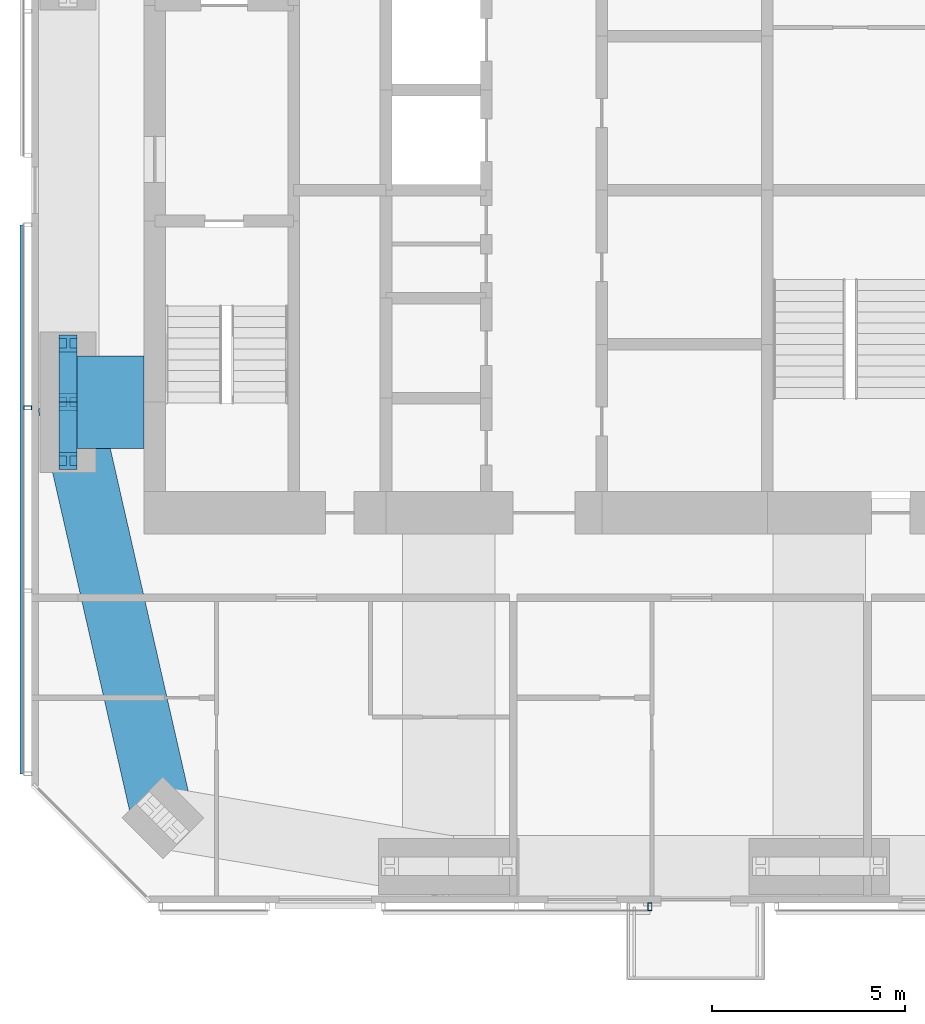
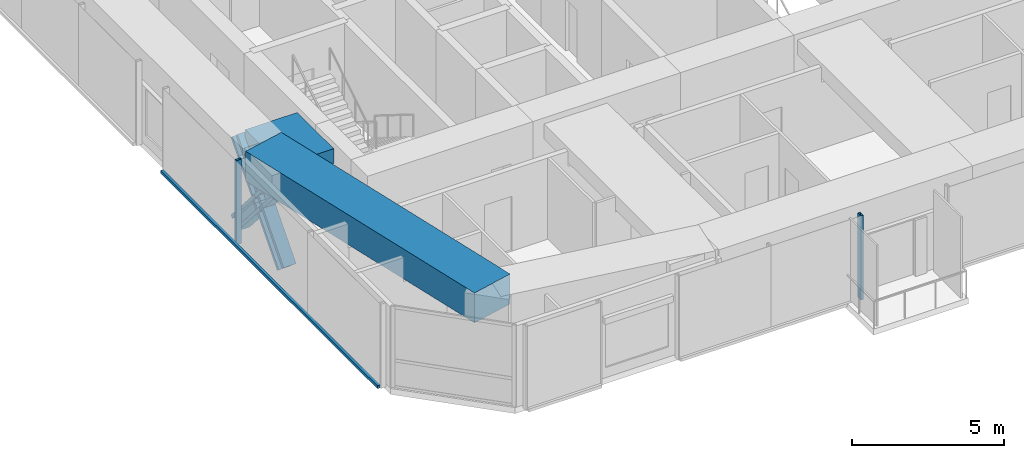
# One storey, part 3 of 18: 7 members, 2 beams, 2 elements without a shape of their own.
"""IFC4 building model written with IfcOpenShell, lengths in metres."""

from ifc_helpers import new_model, si_unit, direction, frame, origin, origin_2d, place, context, subcontext, project, spatial, rectangle, hollow_rectangle, i_section, extrude, material, material_profile, profile_set, type_object, element, aggregate, save


model = new_model("IFC4")

# Units and contexts
model_context = context("Model", 3, precision=1e-05, world=origin(), true_north=direction((0.0, 1.0)))
body_context = subcontext(model_context, "Body", "Model", "MODEL_VIEW")
ifc_project = project(units=[si_unit("LENGTHUNIT", "METRE"), si_unit("AREAUNIT", "SQUARE_METRE"), si_unit("VOLUMEUNIT", "CUBIC_METRE"), si_unit("PLANEANGLEUNIT", "RADIAN"), si_unit("MASSUNIT", "GRAM", prefix="KILO")], contexts=[model_context])

# Site, building, storey
site_placement = place(None, origin())
site = spatial("IfcSite", under=ifc_project, at=site_placement, CompositionType="ELEMENT")
building_placement = place(site_placement, origin())
building = spatial("IfcBuilding", under=site, at=building_placement, Name="Jalousie Tower", CompositionType="ELEMENT")
storey_placement = place(building_placement, frame((0.0, 0.0, 231.949951171875)))
storey = spatial("IfcBuildingStorey", under=building, at=storey_placement, Name="L63", CompositionType="ELEMENT", Elevation=231.949951171875)

# Members
ifc_material_1 = material(Name="Steel ASTM A992 Grade 50", Category="steel")
ifc_material_profile_1 = material_profile(ifc_material_1, i_section(OverallWidth=0.472412109375, OverallDepth=0.5791015625, WebThickness=0.094970703125, FlangeThickness=0.1298828125, at=origin_2d()), Name="W14X808")
ifc_profile_set_1 = profile_set([ifc_material_profile_1], Name="Steel ASTM A992 Grade 50")
member_type_1 = type_object("IfcMemberType", Name="PERIMETER BRACE W14X808", PredefinedType="BRACE", material=ifc_profile_set_1)
for number, where, z_axis, x_axis, name in (
    (1, (17.75, 11.47509765625, -0.599853515625), (0.0, 0.65695436777, 0.753930340726), (-1.0, 0.0, 0.0), "Perimeter brace 14 L63 part 1"),
    (2, (17.75, 13.0, 1.150146484375), (0.0, 0.65695436777, 0.753930340726), (-1.0, 0.0, 0.0), "Perimeter brace 14 L63 part 2"),
    (3, (17.75, 14.52490234375, -0.599853515625), (0.0, -0.65695436777, 0.753930340726), (1.0, 0.0, 0.0), "Perimeter brace 14 L63 part 3"),
    (4, (17.75, 13.0, 1.150146484375), (0.0, -0.65695436777, 0.753930340726), (1.0, 0.0, 0.0), "Perimeter brace 14 L63 part 4"),
):
    element("IfcMember", number, at=place(storey_placement, frame(where, z_axis=z_axis, x_axis=x_axis)), inside=storey, type_object=member_type_1, Name=name, PredefinedType="BRACE", context=body_context, shape_type="SweptSolid", body=[
        extrude(i_section(OverallWidth=0.472412109375, OverallDepth=0.5791015625, WebThickness=0.094970703125, FlangeThickness=0.1298828125, at=origin_2d()), origin(), (0.0, 0.0, 1.0), 2.3212890625),
    ])

# Beams
ifc_material_2 = material(Name="Concrete f'c 40 MPa", Category="concrete")
ifc_material_profile_2 = material_profile(ifc_material_2, rectangle(XDim=1.60009765625, YDim=1.199951171875, at=origin_2d()), Name="RC 1600x1200")
ifc_profile_set_2 = profile_set([ifc_material_profile_2], Name="Concrete f'c 40 MPa")
beam_type_1 = type_object("IfcBeamType", Name="RC BEAM 1600x1200", PredefinedType="BEAM", material=ifc_profile_set_2)
beam_1_placement = place(storey_placement, frame((17.75, 13.0, 2.900146484375), z_axis=(0.221971905818, -0.975053061647, 0.0), x_axis=(0.975053061647, 0.221971905818, 0.0)))
element("IfcBeam", 5, at=beam_1_placement, inside=storey, type_object=beam_type_1, Name="Edge band beam 14-01 under L64", PredefinedType="BEAM", context=body_context, shape_type="SweptSolid", body=[
    extrude(rectangle(XDim=1.60009765625, YDim=1.199951171875, at=origin_2d()), origin(), (0.0, 0.0, 1.0), 11.069091796875),
])
ifc_material_3 = material(Name="Concrete f'c 40 MPa", Category="concrete")
ifc_material_profile_3 = material_profile(ifc_material_3, rectangle(XDim=2.39990234375, YDim=0.60009765625, at=origin_2d()), Name="RC 2400x600")
ifc_profile_set_3 = profile_set([ifc_material_profile_3], Name="Concrete f'c 40 MPa")
beam_type_2 = type_object("IfcBeamType", Name="RC BEAM 2400x600", PredefinedType="BEAM", material=ifc_profile_set_3)
beam_2_placement = place(storey_placement, frame((17.75, 13.0, 2.9599609375), z_axis=(1.0, 0.0, 0.0), x_axis=(0.0, 1.0, 0.0)))
element("IfcBeam", 6, at=beam_2_placement, inside=storey, type_object=beam_type_2, Name="Floor band beam under L64", PredefinedType="BEAM", context=body_context, shape_type="SweptSolid", body=[
    extrude(rectangle(XDim=2.39990234375, YDim=0.60009765625, at=origin_2d()), origin(), (0.0, 0.0, 1.0), 1.97509765625),
])

# Curtain wall, member
ifc_material_4 = material(Name="Perforated aluminium sheet", Category="aluminium")
curtain_wall_type = type_object("IfcCurtainWallType", Name="SOLAR SCREEN SS-2", PredefinedType="USERDEFINED", material=ifc_material_4)
curtain_wall_1_placement = place(storey_placement, origin())
curtain_wall_1 = element("IfcCurtainWall", 7, at=curtain_wall_1_placement, inside=storey, type_object=curtain_wall_type, Name="Solar screen L63", ObjectType="SOLAR SCREEN SS-2", PredefinedType="USERDEFINED")
ifc_material_5 = material(Name="Steel ASTM A500 Grade C", Category="steel")
ifc_material_profile_4 = material_profile(ifc_material_5, hollow_rectangle(XDim=0.1015625, YDim=0.203125, WallThickness=0.0078125, at=origin_2d()), Name="HSS8X4X5/16")
ifc_profile_set_4 = profile_set([ifc_material_profile_4], Name="Steel ASTM A500 Grade C")
member_type_2 = type_object("IfcMemberType", Name="SOLAR SCREEN SS-2 MULLION", PredefinedType="MULLION", material=ifc_profile_set_4)
member_1_placement = place(storey_placement, frame((32.85009765625, -0.0966796875, -0.119873046875), z_axis=(0.0, 0.0, 1.0), x_axis=(1.0, 0.0, 0.0)))
member_1 = element("IfcMember", 8, at=member_1_placement, type_object=member_type_2, Name="SS2 post 3", PredefinedType="MULLION", context=body_context, shape_type="SweptSolid", body=[
    extrude(hollow_rectangle(XDim=0.1015625, YDim=0.203125, WallThickness=0.0078125, at=origin_2d()), origin(), (0.0, 0.0, 1.0), 3.3798828125),
])
aggregate(curtain_wall_1, [member_1])

# Curtain wall, members
curtain_wall_2_placement = place(storey_placement, origin())
curtain_wall_2 = element("IfcCurtainWall", 9, at=curtain_wall_2_placement, inside=storey, type_object=curtain_wall_type, Name="Solar screen L63", ObjectType="SOLAR SCREEN SS-2", PredefinedType="USERDEFINED")
member_2_placement = place(storey_placement, frame((16.703369140625, 12.850341796875, -0.119873046875), z_axis=(0.0, 0.0, 1.0), x_axis=(0.0, -1.0, 0.0)))
member_2 = element("IfcMember", 10, at=member_2_placement, type_object=member_type_2, Name="SS2 post 2", PredefinedType="MULLION", context=body_context, shape_type="SweptSolid", body=[
    extrude(hollow_rectangle(XDim=0.1015625, YDim=0.203125, WallThickness=0.0078125, at=origin_2d()), origin(), (0.0, 0.0, 1.0), 3.3798828125),
])
ifc_material_6 = material(Name="Extruded aluminium screen rail", Category="aluminium")
ifc_material_profile_5 = material_profile(ifc_material_6, rectangle(XDim=0.1015625, YDim=0.1201171875, at=origin_2d()), Name="RAIL 102x120")
ifc_profile_set_5 = profile_set([ifc_material_profile_5], Name="Extruded aluminium screen rail")
member_type_3 = type_object("IfcMemberType", Name="SOLAR SCREEN SS-2 TRANSOM", PredefinedType="USERDEFINED", material=ifc_profile_set_5)
member_3_placement = place(storey_placement, frame((16.551025390625, 17.60009765625, -0.06005859375), z_axis=(0.0, -1.0, 0.0), x_axis=(1.0, 0.0, 0.0)))
member_3 = element("IfcMember", 11, at=member_3_placement, type_object=member_type_3, Name="SS2 rail", ObjectType="TRANSOM", PredefinedType="USERDEFINED", context=body_context, shape_type="SweptSolid", body=[
    extrude(rectangle(XDim=0.1015625, YDim=0.1201171875, at=origin_2d()), origin(), (0.0, 0.0, 1.0), 14.248779296875),
])
aggregate(curtain_wall_2, [member_2, member_3])

save(model, "model.ifc")
